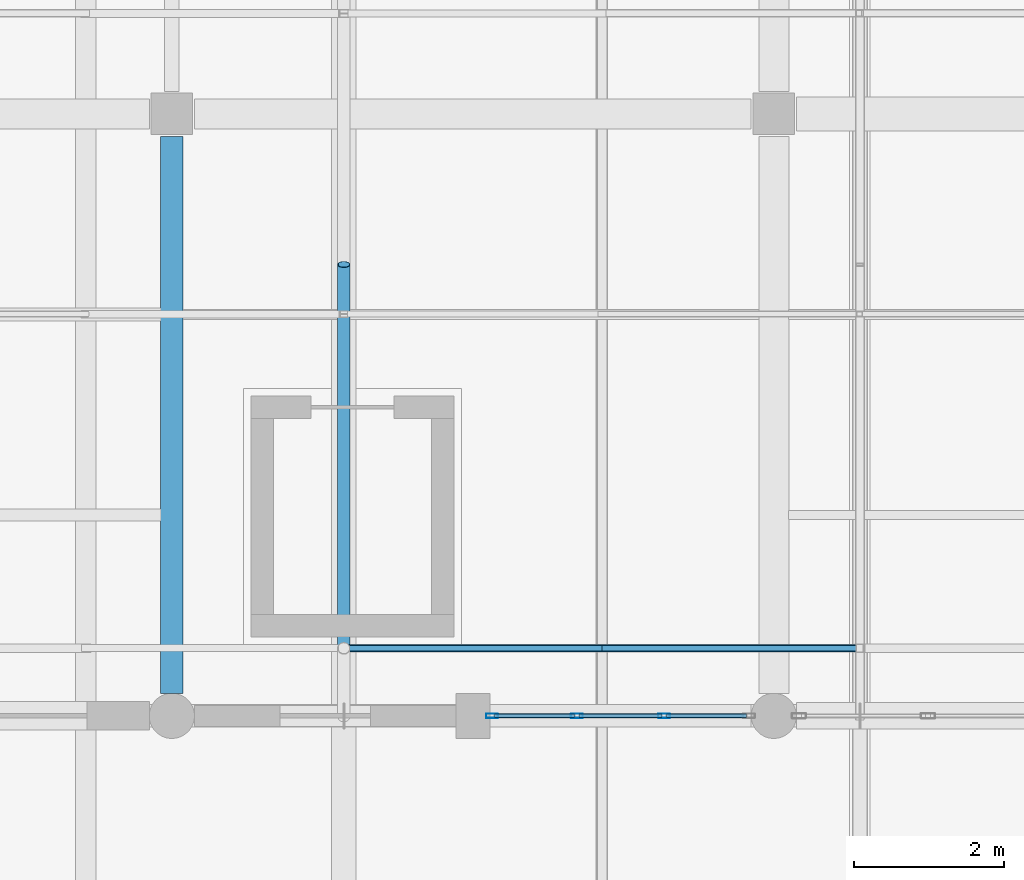
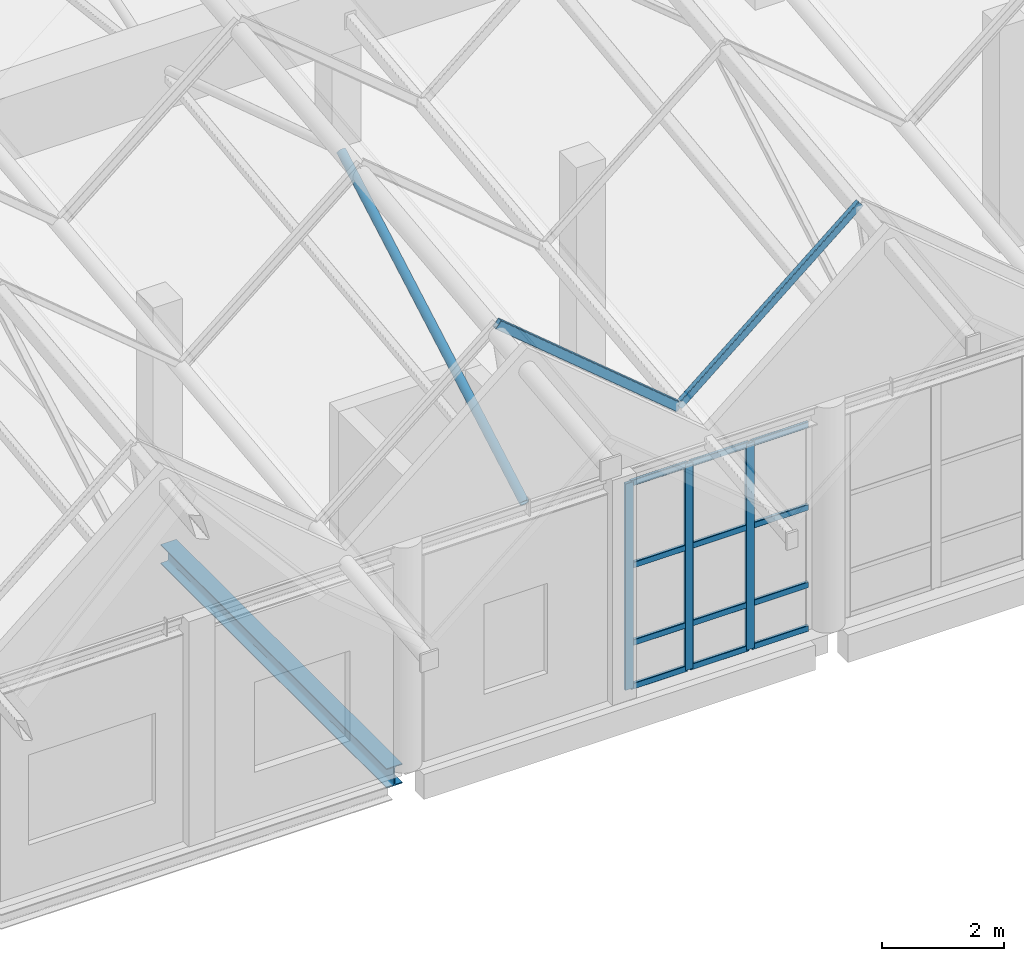
# One storey, part 69 of 183: 18 members, 1 beam, 1 element without a shape of its own.
"""IFC4 building model written with IfcOpenShell, lengths in metres."""

from ifc_helpers import new_model, si_unit, direction, frame, origin, origin_2d, place, context, subcontext, project, spatial, hollow_rectangle, hollow_circle, i_section, extrude, material, material_profile, profile_set, type_object, element, aggregate, save


model = new_model("IFC4")

# Units and contexts
model_context = context("Model", 3, precision=1e-05, world=origin(), true_north=direction((0.0, 1.0)))
body_context = subcontext(model_context, "Body", "Model", "MODEL_VIEW")
ifc_project = project(units=[si_unit("LENGTHUNIT", "METRE"), si_unit("AREAUNIT", "SQUARE_METRE"), si_unit("VOLUMEUNIT", "CUBIC_METRE"), si_unit("PLANEANGLEUNIT", "RADIAN"), si_unit("MASSUNIT", "GRAM", prefix="KILO")], contexts=[model_context])

# Site, building, storey
site_placement = place(None, origin())
site = spatial("IfcSite", under=ifc_project, at=site_placement, CompositionType="ELEMENT")
building_placement = place(site_placement, origin())
building = spatial("IfcBuilding", under=site, at=building_placement, Name="Luwemba Playhouse", CompositionType="ELEMENT")
storey_placement = place(building_placement, frame((0.0, 0.0, 4.800048828125)))
storey = spatial("IfcBuildingStorey", under=building, at=storey_placement, Name="L01", CompositionType="ELEMENT", Elevation=4.800048828125)

# Beam
ifc_material_1 = material(Name="Steel S355", Category="steel")
ifc_material_profile_1 = material_profile(ifc_material_1, i_section(OverallWidth=0.300048828125, OverallDepth=0.389892578125, WebThickness=0.010986328125, FlangeThickness=0.01904296875, FilletRadius=0.027099609375, at=origin_2d()))
ifc_profile_set_1 = profile_set([ifc_material_profile_1], Name="Steel S355")
beam_type = type_object("IfcBeamType", Name="BM-SB05", PredefinedType="BEAM", material=ifc_profile_set_1)
beam_placement = place(storey_placement, frame((132.0, 3.300048828125, -0.445068359375), z_axis=(0.0, 1.0, 0.0), x_axis=(-1.0, 0.0, 0.0)))
element("IfcBeam", 1, at=beam_placement, inside=storey, type_object=beam_type, Name="L01 transverse girder 0546", PredefinedType="BEAM", context=body_context, shape_type="SweptSolid", body=[
    extrude(i_section(OverallWidth=0.300048828125, OverallDepth=0.389892578125, WebThickness=0.010986328125, FlangeThickness=0.01904296875, FilletRadius=0.027099609375, at=origin_2d()), origin(), (0.0, 0.0, 1.0), 7.39990234375),
])

# Curtain wall, members
ifc_material_2 = material(Name="Solar-control double glazing", Category="glass")
curtain_wall_type = type_object("IfcCurtainWallType", Name="CW-CW124", PredefinedType="USERDEFINED", material=ifc_material_2)
curtain_wall_placement = place(storey_placement, origin())
curtain_wall = element("IfcCurtainWall", 2, at=curtain_wall_placement, inside=storey, type_object=curtain_wall_type, Name="L01 V5E unitised curtain wall 178", ObjectType="UNITISED GLAZING", PredefinedType="USERDEFINED")
ifc_material_3 = material(Name="Aluminium 6063-T6", Category="aluminium")
ifc_material_profile_2 = material_profile(ifc_material_3, hollow_rectangle(XDim=0.06005859375, YDim=0.159912109375, WallThickness=0.00390625, InnerFilletRadius=0.006103515625, OuterFilletRadius=0.010009765625, at=origin_2d()))
ifc_profile_set_2 = profile_set([ifc_material_profile_2], Name="Aluminium 6063-T6")
member_type_1 = type_object("IfcMemberType", Name="CWM-M1", PredefinedType="MULLION", material=ifc_profile_set_2)
member_1_placement = place(storey_placement, frame((138.541748046875, 3.0, 0.0), z_axis=(0.0, 0.0, 1.0), x_axis=(0.0, -1.0, 0.0)))
member_1 = element("IfcMember", 3, at=member_1_placement, type_object=member_type_1, Name="CW124 mullion 2", PredefinedType="MULLION", context=body_context, shape_type="SweptSolid", body=[
    extrude(hollow_rectangle(XDim=0.06005859375, YDim=0.159912109375, WallThickness=0.00390625, InnerFilletRadius=0.006103515625, OuterFilletRadius=0.010009765625, at=origin_2d()), origin(), (0.0, 0.0, 1.0), 4.125),
])
member_2_placement = place(storey_placement, frame((137.38330078125, 3.0, 0.0), z_axis=(0.0, 0.0, 1.0), x_axis=(0.0, -1.0, 0.0)))
member_2 = element("IfcMember", 4, at=member_2_placement, type_object=member_type_1, Name="CW124 mullion 3", PredefinedType="MULLION", context=body_context, shape_type="SweptSolid", body=[
    extrude(hollow_rectangle(XDim=0.06005859375, YDim=0.159912109375, WallThickness=0.00390625, InnerFilletRadius=0.006103515625, OuterFilletRadius=0.010009765625, at=origin_2d()), origin(), (0.0, 0.0, 1.0), 4.125),
])
member_3_placement = place(storey_placement, frame((136.2548828125, 3.0, 0.0), z_axis=(0.0, 0.0, 1.0), x_axis=(0.0, -1.0, 0.0)))
member_3 = element("IfcMember", 5, at=member_3_placement, type_object=member_type_1, Name="CW124 mullion 4", PredefinedType="MULLION", context=body_context, shape_type="SweptSolid", body=[
    extrude(hollow_rectangle(XDim=0.06005859375, YDim=0.159912109375, WallThickness=0.00390625, InnerFilletRadius=0.006103515625, OuterFilletRadius=0.010009765625, at=origin_2d()), origin(), (0.0, 0.0, 1.0), 4.125),
])
ifc_material_profile_3 = material_profile(ifc_material_3, hollow_rectangle(XDim=0.06005859375, YDim=0.1201171875, WallThickness=0.00390625, InnerFilletRadius=0.006103515625, OuterFilletRadius=0.010009765625, at=origin_2d()))
ifc_profile_set_3 = profile_set([ifc_material_profile_3], Name="Aluminium 6063-T6")
member_type_2 = type_object("IfcMemberType", Name="CWT-T1", PredefinedType="USERDEFINED", material=ifc_profile_set_3)
member_4_placement = place(storey_placement, frame((139.639892578125, 3.0, 0.030029296875), z_axis=(-1.0, 0.0, 0.0), x_axis=(0.0, -1.0, 0.0)))
member_4 = element("IfcMember", 6, at=member_4_placement, type_object=member_type_2, Name="CW124 transom 1.1", ObjectType="TRANSOM", PredefinedType="USERDEFINED", context=body_context, shape_type="SweptSolid", body=[
    extrude(hollow_rectangle(XDim=0.06005859375, YDim=0.1201171875, WallThickness=0.00390625, InnerFilletRadius=0.006103515625, OuterFilletRadius=0.010009765625, at=origin_2d()), origin(), (0.0, 0.0, 1.0), 1.068115234375),
])
member_5_placement = place(storey_placement, frame((139.639892578125, 3.0, 0.89990234375), z_axis=(-1.0, 0.0, 0.0), x_axis=(0.0, -1.0, 0.0)))
member_5 = element("IfcMember", 7, at=member_5_placement, type_object=member_type_2, Name="CW124 transom 1.2", ObjectType="TRANSOM", PredefinedType="USERDEFINED", context=body_context, shape_type="SweptSolid", body=[
    extrude(hollow_rectangle(XDim=0.06005859375, YDim=0.1201171875, WallThickness=0.00390625, InnerFilletRadius=0.006103515625, OuterFilletRadius=0.010009765625, at=origin_2d()), origin(), (0.0, 0.0, 1.0), 1.068115234375),
])
member_6_placement = place(storey_placement, frame((139.639892578125, 3.0, 2.449951171875), z_axis=(-1.0, 0.0, 0.0), x_axis=(0.0, -1.0, 0.0)))
member_6 = element("IfcMember", 8, at=member_6_placement, type_object=member_type_2, Name="CW124 transom 1.3", ObjectType="TRANSOM", PredefinedType="USERDEFINED", context=body_context, shape_type="SweptSolid", body=[
    extrude(hollow_rectangle(XDim=0.06005859375, YDim=0.1201171875, WallThickness=0.00390625, InnerFilletRadius=0.006103515625, OuterFilletRadius=0.010009765625, at=origin_2d()), origin(), (0.0, 0.0, 1.0), 1.068115234375),
])
member_7_placement = place(storey_placement, frame((139.639892578125, 3.0, 4.094970703125), z_axis=(-1.0, 0.0, 0.0), x_axis=(0.0, -1.0, 0.0)))
member_7 = element("IfcMember", 9, at=member_7_placement, type_object=member_type_2, Name="CW124 transom 1.4", ObjectType="TRANSOM", PredefinedType="USERDEFINED", context=body_context, shape_type="SweptSolid", body=[
    extrude(hollow_rectangle(XDim=0.06005859375, YDim=0.1201171875, WallThickness=0.00390625, InnerFilletRadius=0.006103515625, OuterFilletRadius=0.010009765625, at=origin_2d()), origin(), (0.0, 0.0, 1.0), 1.068115234375),
])
member_8_placement = place(storey_placement, frame((138.51171875, 3.0, 0.030029296875), z_axis=(-1.0, 0.0, 0.0), x_axis=(0.0, -1.0, 0.0)))
member_8 = element("IfcMember", 10, at=member_8_placement, type_object=member_type_2, Name="CW124 transom 2.1", ObjectType="TRANSOM", PredefinedType="USERDEFINED", context=body_context, shape_type="SweptSolid", body=[
    extrude(hollow_rectangle(XDim=0.06005859375, YDim=0.1201171875, WallThickness=0.00390625, InnerFilletRadius=0.006103515625, OuterFilletRadius=0.010009765625, at=origin_2d()), origin(), (0.0, 0.0, 1.0), 1.098388671875),
])
member_9_placement = place(storey_placement, frame((138.51171875, 3.0, 0.89990234375), z_axis=(-1.0, 0.0, 0.0), x_axis=(0.0, -1.0, 0.0)))
member_9 = element("IfcMember", 11, at=member_9_placement, type_object=member_type_2, Name="CW124 transom 2.2", ObjectType="TRANSOM", PredefinedType="USERDEFINED", context=body_context, shape_type="SweptSolid", body=[
    extrude(hollow_rectangle(XDim=0.06005859375, YDim=0.1201171875, WallThickness=0.00390625, InnerFilletRadius=0.006103515625, OuterFilletRadius=0.010009765625, at=origin_2d()), origin(), (0.0, 0.0, 1.0), 1.098388671875),
])
member_10_placement = place(storey_placement, frame((138.51171875, 3.0, 2.449951171875), z_axis=(-1.0, 0.0, 0.0), x_axis=(0.0, -1.0, 0.0)))
member_10 = element("IfcMember", 12, at=member_10_placement, type_object=member_type_2, Name="CW124 transom 2.3", ObjectType="TRANSOM", PredefinedType="USERDEFINED", context=body_context, shape_type="SweptSolid", body=[
    extrude(hollow_rectangle(XDim=0.06005859375, YDim=0.1201171875, WallThickness=0.00390625, InnerFilletRadius=0.006103515625, OuterFilletRadius=0.010009765625, at=origin_2d()), origin(), (0.0, 0.0, 1.0), 1.098388671875),
])
member_11_placement = place(storey_placement, frame((138.51171875, 3.0, 4.094970703125), z_axis=(-1.0, 0.0, 0.0), x_axis=(0.0, -1.0, 0.0)))
member_11 = element("IfcMember", 13, at=member_11_placement, type_object=member_type_2, Name="CW124 transom 2.4", ObjectType="TRANSOM", PredefinedType="USERDEFINED", context=body_context, shape_type="SweptSolid", body=[
    extrude(hollow_rectangle(XDim=0.06005859375, YDim=0.1201171875, WallThickness=0.00390625, InnerFilletRadius=0.006103515625, OuterFilletRadius=0.010009765625, at=origin_2d()), origin(), (0.0, 0.0, 1.0), 1.098388671875),
])
member_12_placement = place(storey_placement, frame((137.353271484375, 3.0, 0.030029296875), z_axis=(-1.0, 0.0, 0.0), x_axis=(0.0, -1.0, 0.0)))
member_12 = element("IfcMember", 14, at=member_12_placement, type_object=member_type_2, Name="CW124 transom 3.1", ObjectType="TRANSOM", PredefinedType="USERDEFINED", context=body_context, shape_type="SweptSolid", body=[
    extrude(hollow_rectangle(XDim=0.06005859375, YDim=0.1201171875, WallThickness=0.00390625, InnerFilletRadius=0.006103515625, OuterFilletRadius=0.010009765625, at=origin_2d()), origin(), (0.0, 0.0, 1.0), 1.068359375),
])
member_13_placement = place(storey_placement, frame((137.353271484375, 3.0, 0.89990234375), z_axis=(-1.0, 0.0, 0.0), x_axis=(0.0, -1.0, 0.0)))
member_13 = element("IfcMember", 15, at=member_13_placement, type_object=member_type_2, Name="CW124 transom 3.2", ObjectType="TRANSOM", PredefinedType="USERDEFINED", context=body_context, shape_type="SweptSolid", body=[
    extrude(hollow_rectangle(XDim=0.06005859375, YDim=0.1201171875, WallThickness=0.00390625, InnerFilletRadius=0.006103515625, OuterFilletRadius=0.010009765625, at=origin_2d()), origin(), (0.0, 0.0, 1.0), 1.068359375),
])
member_14_placement = place(storey_placement, frame((137.353271484375, 3.0, 2.449951171875), z_axis=(-1.0, 0.0, 0.0), x_axis=(0.0, -1.0, 0.0)))
member_14 = element("IfcMember", 16, at=member_14_placement, type_object=member_type_2, Name="CW124 transom 3.3", ObjectType="TRANSOM", PredefinedType="USERDEFINED", context=body_context, shape_type="SweptSolid", body=[
    extrude(hollow_rectangle(XDim=0.06005859375, YDim=0.1201171875, WallThickness=0.00390625, InnerFilletRadius=0.006103515625, OuterFilletRadius=0.010009765625, at=origin_2d()), origin(), (0.0, 0.0, 1.0), 1.068359375),
])
member_15_placement = place(storey_placement, frame((137.353271484375, 3.0, 4.094970703125), z_axis=(-1.0, 0.0, 0.0), x_axis=(0.0, -1.0, 0.0)))
member_15 = element("IfcMember", 17, at=member_15_placement, type_object=member_type_2, Name="CW124 transom 3.4", ObjectType="TRANSOM", PredefinedType="USERDEFINED", context=body_context, shape_type="SweptSolid", body=[
    extrude(hollow_rectangle(XDim=0.06005859375, YDim=0.1201171875, WallThickness=0.00390625, InnerFilletRadius=0.006103515625, OuterFilletRadius=0.010009765625, at=origin_2d()), origin(), (0.0, 0.0, 1.0), 1.068359375),
])
aggregate(curtain_wall, [member_1, member_2, member_3, member_4, member_5, member_6, member_7, member_8, member_9, member_10, member_11, member_12, member_13, member_14, member_15])

# Members
ifc_material_profile_4 = material_profile(ifc_material_1, hollow_circle(Radius=0.084228515625, WallThickness=0.008056640625, at=origin_2d()))
ifc_profile_set_4 = profile_set([ifc_material_profile_4], Name="Steel S355")
member_type_3 = type_object("IfcMemberType", Name="MEM-MB02", PredefinedType="BRACE", material=ifc_profile_set_4)
member_16_placement = place(storey_placement, frame((134.28564453125, 3.0, 4.39990234375), z_axis=(0.0, 0.870468489249, 0.492224145308), x_axis=(-1.0, 0.0, 0.0)))
element("IfcMember", 18, at=member_16_placement, inside=storey, type_object=member_type_3, Name="ROOF TRUSS web diagonal 0273", PredefinedType="BRACE", context=body_context, shape_type="SweptSolid", body=[
    extrude(hollow_circle(Radius=0.084228515625, WallThickness=0.008056640625, at=origin_2d()), origin(), (0.0, 0.0, 1.0), 6.892822265625),
])
ifc_material_profile_5 = material_profile(ifc_material_1, hollow_rectangle(XDim=0.10009765625, YDim=0.14990234375, WallThickness=0.008056640625, InnerFilletRadius=0.011962890625, OuterFilletRadius=0.02001953125, at=origin_2d()))
ifc_profile_set_5 = profile_set([ifc_material_profile_5], Name="Steel S355")
member_type_4 = type_object("IfcMemberType", Name="MEM-MP02", PredefinedType="PURLIN", material=ifc_profile_set_5)
member_17_placement = place(storey_placement, frame((137.71435546875, 3.89990234375, 4.593994140625), z_axis=(0.768342353216, 0.0, 0.640039083381), x_axis=(0.0, 1.0, 0.0)))
element("IfcMember", 19, at=member_17_placement, inside=storey, type_object=member_type_4, Name="Pleated roof purlin 0553", PredefinedType="PURLIN", context=body_context, shape_type="SweptSolid", body=[
    extrude(hollow_rectangle(XDim=0.10009765625, YDim=0.14990234375, WallThickness=0.008056640625, InnerFilletRadius=0.011962890625, OuterFilletRadius=0.02001953125, at=origin_2d()), origin(), (0.0, 0.0, 1.0), 4.462158203125),
])
ifc_material_profile_6 = material_profile(ifc_material_1, hollow_rectangle(XDim=0.10009765625, YDim=0.179931640625, WallThickness=0.008056640625, InnerFilletRadius=0.011962890625, OuterFilletRadius=0.02001953125, at=origin_2d()))
ifc_profile_set_6 = profile_set([ifc_material_profile_6], Name="Steel S355")
member_type_5 = type_object("IfcMemberType", Name="MEM-MP04", PredefinedType="PURLIN", material=ifc_profile_set_6)
member_18_placement = place(storey_placement, frame((134.28564453125, 3.89990234375, 7.43505859375), z_axis=(0.768337860515, 0.0, -0.640044476657), x_axis=(0.0, 1.0, 0.0)))
element("IfcMember", 20, at=member_18_placement, inside=storey, type_object=member_type_5, Name="Pleated roof purlin 0547", PredefinedType="PURLIN", context=body_context, shape_type="SweptSolid", body=[
    extrude(hollow_rectangle(XDim=0.10009765625, YDim=0.179931640625, WallThickness=0.008056640625, InnerFilletRadius=0.011962890625, OuterFilletRadius=0.02001953125, at=origin_2d()), origin(), (0.0, 0.0, 1.0), 4.46240234375),
])

save(model, "model.ifc")
